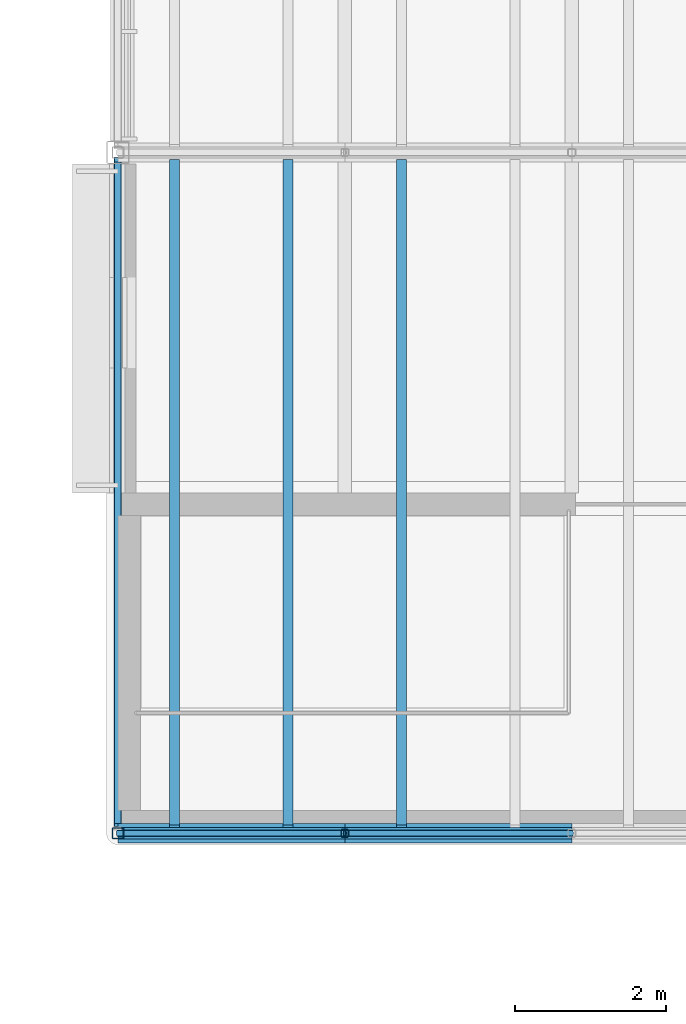
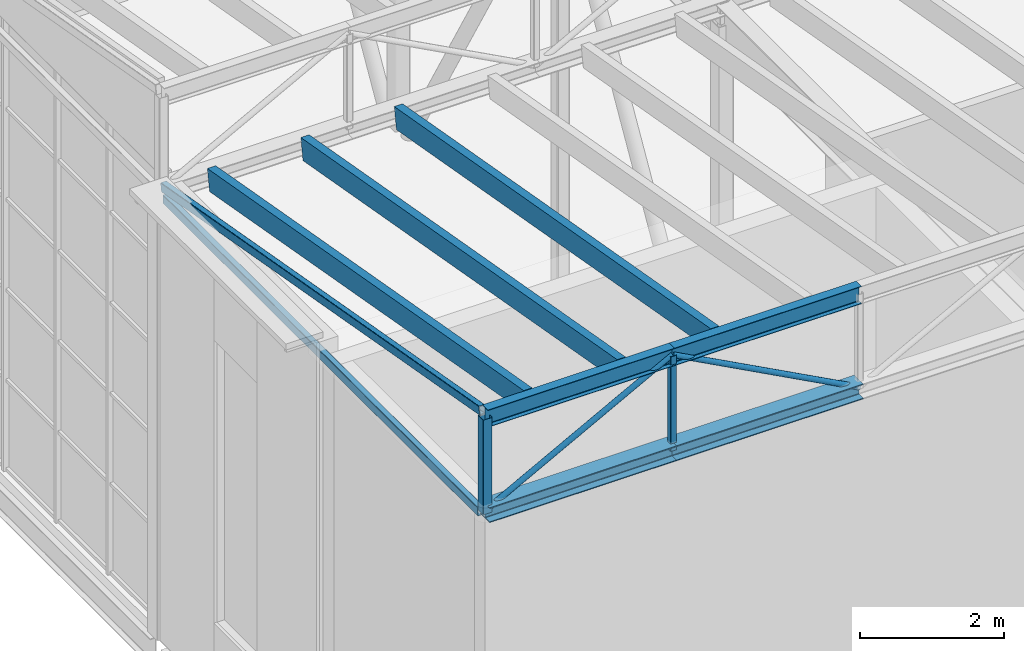
# One storey, part 8 of 90: 13 members.
"""IFC4 building model written with IfcOpenShell, lengths in metres."""

from ifc_helpers import new_model, si_unit, direction, frame, origin, origin_2d, place, context, subcontext, project, spatial, rectangle, hollow_rectangle, hollow_circle, i_section, extrude, material, material_profile, profile_set, type_object, element, save


model = new_model("IFC4")

# Units and contexts
model_context = context("Model", 3, precision=1e-05, world=origin(), true_north=direction((0.0, 1.0)))
body_context = subcontext(model_context, "Body", "Model", "MODEL_VIEW")
ifc_project = project(units=[si_unit("LENGTHUNIT", "METRE"), si_unit("AREAUNIT", "SQUARE_METRE"), si_unit("VOLUMEUNIT", "CUBIC_METRE"), si_unit("PLANEANGLEUNIT", "RADIAN"), si_unit("MASSUNIT", "GRAM", prefix="KILO")], contexts=[model_context])

# Site, building, storey
site_placement = place(None, origin())
site = spatial("IfcSite", under=ifc_project, at=site_placement, CompositionType="ELEMENT")
building_placement = place(site_placement, origin())
building = spatial("IfcBuilding", under=site, at=building_placement, Name="Halyard Row Museum", CompositionType="ELEMENT")
storey_placement = place(building_placement, frame((0.0, 0.0, 13.39990234375)))
storey = spatial("IfcBuildingStorey", under=building, at=storey_placement, Name="L03", CompositionType="ELEMENT", Elevation=13.39990234375)

# Members
ifc_material_1 = material(Name="Steel Grade C350L0", Category="steel")
ifc_material_profile_1 = material_profile(ifc_material_1, hollow_rectangle(XDim=0.10009765625, YDim=0.14990234375, WallThickness=0.006103515625, InnerFilletRadius=0.009033203125, OuterFilletRadius=0.014892578125, at=origin_2d()), Name="150x100x6.0RHS")
ifc_profile_set_1 = profile_set([ifc_material_profile_1], Name="Steel Grade C350L0")
member_type_1 = type_object("IfcMemberType", Name="Gable end chord 150x100x6.0RHS", PredefinedType="CHORD", material=ifc_profile_set_1)
member_1_placement = place(storey_placement, frame((27.0, 18.126953125, 7.44775390625), z_axis=(0.0, 1.0, 0.0), x_axis=(-1.0, 0.0, 0.0)))
element("IfcMember", 1, at=member_1_placement, inside=storey, type_object=member_type_1, Name="V1-GW1 eave chord", PredefinedType="CHORD", context=body_context, shape_type="SweptSolid", body=[
    extrude(hollow_rectangle(XDim=0.10009765625, YDim=0.14990234375, WallThickness=0.006103515625, InnerFilletRadius=0.009033203125, OuterFilletRadius=0.014892578125, at=origin_2d()), origin(), (0.0, 0.0, 1.0), 8.74609375),
])
ifc_material_2 = material(Name="Steel Grade C350L0", Category="steel")
ifc_material_profile_2 = material_profile(ifc_material_2, hollow_rectangle(XDim=0.10009765625, YDim=0.14990234375, WallThickness=0.006103515625, InnerFilletRadius=0.009033203125, OuterFilletRadius=0.014892578125, at=origin_2d()), Name="150x100x6.0RHS")
ifc_profile_set_2 = profile_set([ifc_material_profile_2], Name="Steel Grade C350L0")
member_type_2 = type_object("IfcMemberType", Name="Gable end rafter 150x100x6.0RHS", PredefinedType="RAFTER", material=ifc_profile_set_2)
member_2_placement = place(storey_placement, frame((27.0, 18.074951171875, 9.190673828125), z_axis=(0.0, 0.984559907364, -0.175047961461), x_axis=(-1.0, 0.0, 0.0)))
element("IfcMember", 2, at=member_2_placement, inside=storey, type_object=member_type_2, Name="V1-GW1 raking rafter", PredefinedType="RAFTER", context=body_context, shape_type="SweptSolid", body=[
    extrude(hollow_rectangle(XDim=0.10009765625, YDim=0.14990234375, WallThickness=0.006103515625, InnerFilletRadius=0.009033203125, OuterFilletRadius=0.014892578125, at=origin_2d()), origin(), (0.0, 0.0, 1.0), 8.98876953125),
])
ifc_material_3 = material(Name="Glulam GL12 radiata pine", Category="wood")
ifc_material_profile_3 = material_profile(ifc_material_3, rectangle(XDim=0.135009765625, YDim=0.360107421875, at=origin_2d()), Name="GL12 135x360")
ifc_profile_set_3 = profile_set([ifc_material_profile_3], Name="Glulam GL12 radiata pine")
member_type_3 = type_object("IfcMemberType", Name="Rafter GL12 135x360", PredefinedType="RAFTER", material=ifc_profile_set_3)
for number, where, z_axis, x_axis, name in (
    (3, (27.75, 18.074462890625, 9.083984375), (0.0, 0.984562193919, -0.175035100209), (-1.0, 0.0, 0.0), "Rafter V1-T1a.1"),
    (4, (29.25, 18.074462890625, 9.083984375), (0.0, 0.984562193919, -0.175035100209), (-1.0, 0.0, 0.0), "Rafter V1-T1a.2"),
    (5, (30.75, 18.074462890625, 9.083984375), (0.0, 0.984562193919, -0.175035100209), (-1.0, 0.0, 0.0), "Rafter V1-T1a.3"),
):
    element("IfcMember", number, at=place(storey_placement, frame(where, z_axis=z_axis, x_axis=x_axis)), inside=storey, type_object=member_type_3, Name=name, PredefinedType="RAFTER", context=body_context, shape_type="SweptSolid", body=[
        extrude(rectangle(XDim=0.135009765625, YDim=0.360107421875, at=origin_2d()), origin(), (0.0, 0.0, 1.0), 8.9365234375),
    ])
ifc_material_4 = material(Name="Steel Grade 300", Category="steel")
ifc_material_profile_4 = material_profile(ifc_material_4, i_section(OverallWidth=0.25390625, OverallDepth=0.25390625, WebThickness=0.008544921875, FlangeThickness=0.01416015625, FilletRadius=0.013916015625, at=origin_2d()), Name="250UC72.9")
ifc_profile_set_4 = profile_set([ifc_material_profile_4], Name="Steel Grade 300")
member_type_4 = type_object("IfcMemberType", Name="Valley truss bottom chord 250UC72.9", PredefinedType="CHORD", material=ifc_profile_set_4)
for number, where, z_axis, x_axis, name in (
    (6, (27.0, 18.0, 7.527099609375), (1.0, 0.0, 0.0), (0.0, 1.0, 0.0), "V1-VT1 bottom chord 1.1"),
    (7, (30.0, 18.0, 7.527099609375), (1.0, 0.0, 0.0), (0.0, 1.0, 0.0), "V1-VT1 bottom chord 1.2"),
):
    element("IfcMember", number, at=place(storey_placement, frame(where, z_axis=z_axis, x_axis=x_axis)), inside=storey, type_object=member_type_4, Name=name, PredefinedType="CHORD", context=body_context, shape_type="SweptSolid", body=[
        extrude(i_section(OverallWidth=0.25390625, OverallDepth=0.25390625, WebThickness=0.008544921875, FlangeThickness=0.01416015625, FilletRadius=0.013916015625, at=origin_2d()), origin(), (0.0, 0.0, 1.0), 3.0),
    ])
ifc_material_5 = material(Name="Steel Grade C250L0", Category="steel")
ifc_material_profile_5 = material_profile(ifc_material_5, hollow_circle(Radius=0.04443359375, WallThickness=0.0048828125, at=origin_2d()), Name="88.9x5.0CHS")
ifc_profile_set_5 = profile_set([ifc_material_profile_5], Name="Steel Grade C250L0")
member_type_5 = type_object("IfcMemberType", Name="Valley truss diagonal 88.9x5.0CHS", PredefinedType="BRACE", material=ifc_profile_set_5)
for number, where, z_axis, x_axis, name in (
    (8, (27.0, 18.0, 7.527099609375), (0.881863759518, 0.0, 0.471504305016), (0.0, 1.0, 0.0), "V1-VT1 diagonal 1.1"),
    (9, (30.0, 18.0, 9.131103515625), (0.881863759518, 0.0, -0.471504305016), (0.0, 1.0, 0.0), "V1-VT1 diagonal 1.2"),
):
    element("IfcMember", number, at=place(storey_placement, frame(where, z_axis=z_axis, x_axis=x_axis)), inside=storey, type_object=member_type_5, Name=name, PredefinedType="BRACE", context=body_context, shape_type="SweptSolid", body=[
        extrude(hollow_circle(Radius=0.04443359375, WallThickness=0.0048828125, at=origin_2d()), origin(), (0.0, 0.0, 1.0), 3.40185546875),
    ])
ifc_material_6 = material(Name="Steel Grade C350L0", Category="steel")
ifc_material_profile_6 = material_profile(ifc_material_6, hollow_rectangle(XDim=0.10009765625, YDim=0.10009765625, WallThickness=0.006103515625, InnerFilletRadius=0.009033203125, OuterFilletRadius=0.014892578125, at=origin_2d()), Name="100x100x6.0SHS")
ifc_profile_set_6 = profile_set([ifc_material_profile_6], Name="Steel Grade C350L0")
member_type_6 = type_object("IfcMemberType", Name="Valley truss post 100x100x6.0SHS", PredefinedType="POST", material=ifc_profile_set_6)
member_3_placement = place(storey_placement, frame((30.0, 18.0, 7.527099609375), z_axis=(0.0, 0.0, 1.0), x_axis=(1.0, 0.0, 0.0)))
element("IfcMember", 10, at=member_3_placement, inside=storey, type_object=member_type_6, Name="V1-VT1 post 1.1", PredefinedType="POST", context=body_context, shape_type="SweptSolid", body=[
    extrude(hollow_rectangle(XDim=0.10009765625, YDim=0.10009765625, WallThickness=0.006103515625, InnerFilletRadius=0.009033203125, OuterFilletRadius=0.014892578125, at=origin_2d()), origin(), (0.0, 0.0, 1.0), 1.60400390625),
])
ifc_material_7 = material(Name="Steel Grade C350L0", Category="steel")
ifc_material_profile_7 = material_profile(ifc_material_7, hollow_rectangle(XDim=0.14990234375, YDim=0.14990234375, WallThickness=0.006103515625, InnerFilletRadius=0.009033203125, OuterFilletRadius=0.014892578125, at=origin_2d()), Name="150x150x6.0SHS")
ifc_profile_set_7 = profile_set([ifc_material_profile_7], Name="Steel Grade C350L0")
member_type_7 = type_object("IfcMemberType", Name="Valley truss post 150x150x6.0SHS", PredefinedType="POST", material=ifc_profile_set_7)
member_4_placement = place(storey_placement, frame((27.0, 18.0, 7.527099609375), z_axis=(0.0, 0.0, 1.0), x_axis=(1.0, 0.0, 0.0)))
element("IfcMember", 11, at=member_4_placement, inside=storey, type_object=member_type_7, Name="V1-VT1 post 1.0", PredefinedType="POST", context=body_context, shape_type="SweptSolid", body=[
    extrude(hollow_rectangle(XDim=0.14990234375, YDim=0.14990234375, WallThickness=0.006103515625, InnerFilletRadius=0.009033203125, OuterFilletRadius=0.014892578125, at=origin_2d()), origin(), (0.0, 0.0, 1.0), 1.60400390625),
])
ifc_material_8 = material(Name="Steel Grade 300", Category="steel")
ifc_material_profile_8 = material_profile(ifc_material_8, i_section(OverallWidth=0.14892578125, OverallDepth=0.298095703125, WebThickness=0.005615234375, FlangeThickness=0.008056640625, FilletRadius=0.012939453125, at=origin_2d()), Name="310UB32.0")
ifc_profile_set_8 = profile_set([ifc_material_profile_8], Name="Steel Grade 300")
member_type_8 = type_object("IfcMemberType", Name="Valley truss top chord 310UB32.0", PredefinedType="CHORD", material=ifc_profile_set_8)
for number, where, z_axis, x_axis, name in (
    (12, (27.0, 18.0, 9.131103515625), (1.0, 0.0, 0.0), (0.0, 1.0, 0.0), "V1-VT1 top chord 1.1"),
    (13, (30.0, 18.0, 9.131103515625), (1.0, 0.0, 0.0), (0.0, 1.0, 0.0), "V1-VT1 top chord 1.2"),
):
    element("IfcMember", number, at=place(storey_placement, frame(where, z_axis=z_axis, x_axis=x_axis)), inside=storey, type_object=member_type_8, Name=name, PredefinedType="CHORD", context=body_context, shape_type="SweptSolid", body=[
        extrude(i_section(OverallWidth=0.14892578125, OverallDepth=0.298095703125, WebThickness=0.005615234375, FlangeThickness=0.008056640625, FilletRadius=0.012939453125, at=origin_2d()), origin(), (0.0, 0.0, 1.0), 3.0),
    ])

save(model, "model.ifc")
